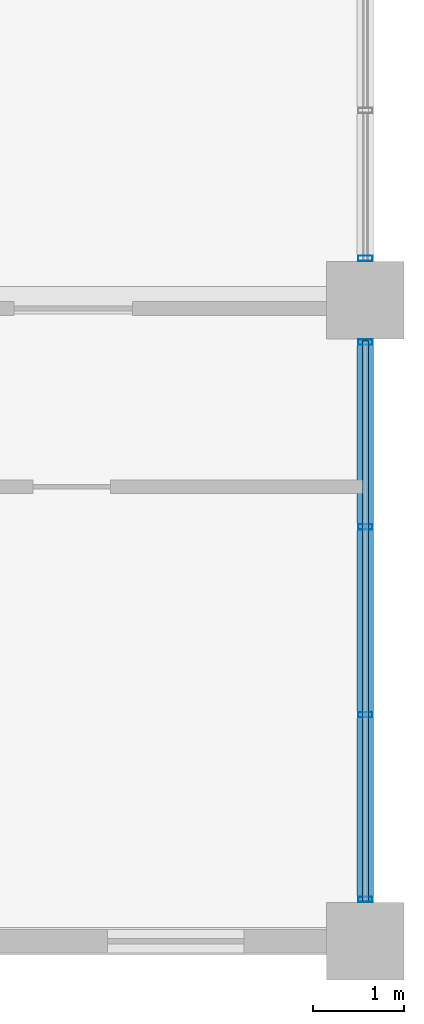
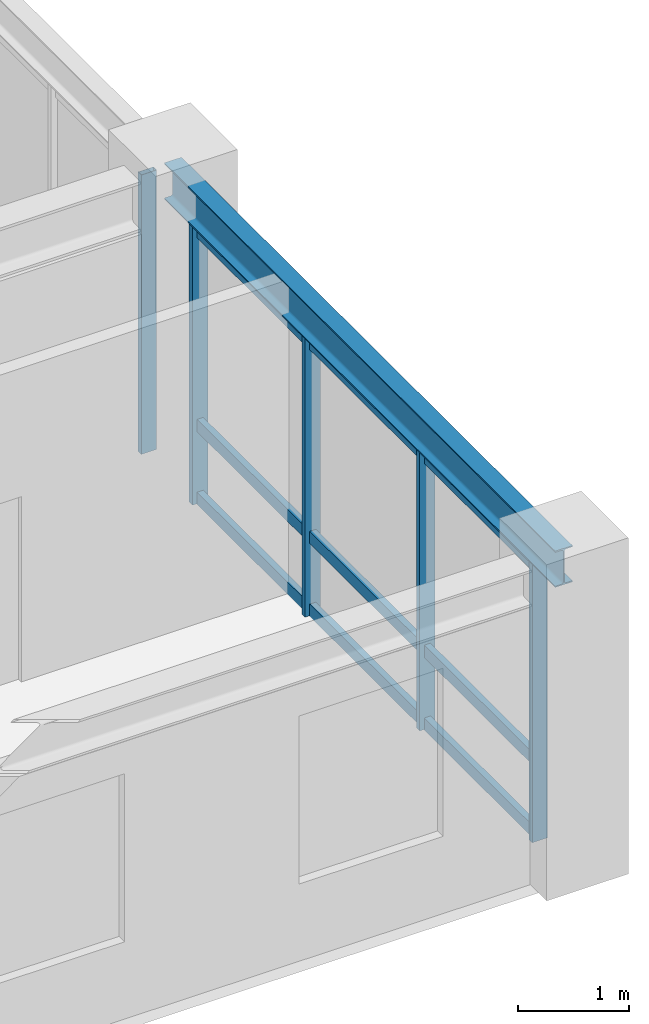
# One storey, part 2 of 10: 8 members, 1 beam, 2 elements without a shape of their own.
"""IFC4 building model written with IfcOpenShell, lengths in metres."""

from ifc_helpers import new_model, si_unit, direction, frame, origin, origin_2d, place, context, subcontext, project, spatial, hollow_rectangle, i_section, extrude, source, transform, mapped, material, layer, layer_set, material_profile, profile_set, type_object, element, aggregate, save


model = new_model("IFC4")

# Units and contexts
model_context = context("Model", 3, precision=1e-05, world=origin(), true_north=direction((0.0, 1.0)))
body_context = subcontext(model_context, "Body", "Model", "MODEL_VIEW")
ifc_project = project(units=[si_unit("LENGTHUNIT", "METRE"), si_unit("AREAUNIT", "SQUARE_METRE"), si_unit("VOLUMEUNIT", "CUBIC_METRE"), si_unit("PLANEANGLEUNIT", "RADIAN"), si_unit("MASSUNIT", "GRAM", prefix="KILO")], contexts=[model_context])

# Site, building, storey
site_placement = place(None, origin())
site = spatial("IfcSite", under=ifc_project, at=site_placement, CompositionType="ELEMENT")
building_placement = place(site_placement, origin())
building = spatial("IfcBuilding", under=site, at=building_placement, Name="Kaliganga Portal Commons", CompositionType="ELEMENT")
storey_placement = place(building_placement, frame((0.0, 0.0, 290.60009765625)))
storey = spatial("IfcBuildingStorey", under=building, at=storey_placement, Name="L75", CompositionType="ELEMENT", Elevation=290.60009765625)

# Beam
ifc_material_1 = material(Name="Structural steel S355J2", Category="steel")
ifc_material_profile_1 = material_profile(ifc_material_1, i_section(OverallWidth=0.179931640625, OverallDepth=0.39990234375, WebThickness=0.008544921875, FlangeThickness=0.013427734375, FilletRadius=0.02099609375, at=origin_2d()), Name="IPE 400")
ifc_profile_set_1 = profile_set([ifc_material_profile_1], Name="Structural steel S355J2 wide-flange")
beam_type = type_object("IfcBeamType", Name="BM-FLR-400", PredefinedType="BEAM", material=ifc_profile_set_1)
shared_shape_1 = source(origin(), body_context, "Body", "SweptSolid", [
    extrude(i_section(OverallWidth=0.179931640625, OverallDepth=0.39990234375, WebThickness=0.008544921875, FlangeThickness=0.013427734375, FilletRadius=0.02099609375, at=origin_2d()), origin(), (0.0, 0.0, 1.0), 7.0498046875),
])
beam_placement = place(storey_placement, frame((46.800048828125, 21.60009765625, 3.27490234375), z_axis=(0.0, 1.0, 0.0), x_axis=(-1.0, 0.0, 0.0)))
element("IfcBeam", 1, at=beam_placement, inside=storey, type_object=beam_type, Name="BM G L75 AS468", PredefinedType="BEAM", context=body_context, shape_type="MappedRepresentation", body=[
    mapped(shared_shape_1, transform((0.0, 0.0, 0.0), x_axis=(1.0, 0.0, 0.0), y_axis=(0.0, 1.0, 0.0), z_axis=(0.0, 0.0, 1.0), scale=1.0)),
])

# Curtain wall, members
ifc_material_2 = material(Name="Anodized Aluminium and Laminated Low-E Glass", Category="aluminium")
ifc_layer = layer(ifc_material_2, 0.18994140625)
ifc_layer_set = layer_set([ifc_layer], Name="Anodized Aluminium and Laminated Low-E Glass")
curtain_wall_type = type_object("IfcCurtainWallType", Name="CW-SYS-05", PredefinedType="NOTDEFINED", material=ifc_layer_set)
curtain_wall_1_placement = place(storey_placement, origin())
curtain_wall_1 = element("IfcCurtainWall", 2, at=curtain_wall_1_placement, inside=storey, type_object=curtain_wall_type, Name="CW 05 L75 P1E01S1", PredefinedType="NOTDEFINED")
ifc_material_3 = material(Name="Dark Bronze Anodized Aluminium", Category="aluminium")
ifc_material_profile_2 = material_profile(ifc_material_3, hollow_rectangle(XDim=0.06005859375, YDim=0.159912109375, WallThickness=0.00341796875, at=origin_2d()), Name="ALU MULL 60x160x3.5")
ifc_profile_set_2 = profile_set([ifc_material_profile_2], Name="Dark Bronze Anodized Aluminium")
member_type_1 = type_object("IfcMemberType", Name="CW-MUL-160", PredefinedType="MULLION", material=ifc_profile_set_2)
shared_shape_2 = source(origin(), body_context, "Body", "SweptSolid", [
    extrude(hollow_rectangle(XDim=0.06005859375, YDim=0.159912109375, WallThickness=0.00341796875, at=origin_2d()), origin(), (0.0, 0.0, 1.0), 3.074951171875),
])
member_1_placement = place(storey_placement, frame((46.800048828125, 22.06103515625, 0.0), z_axis=(0.0, 0.0, 1.0), x_axis=(0.0, 1.0, 0.0)))
member_1 = element("IfcMember", 3, at=member_1_placement, type_object=member_type_1, Name="CW:05:L75:P1E01S1 Mullion 00", PredefinedType="MULLION", context=body_context, shape_type="MappedRepresentation", body=[
    mapped(shared_shape_2, transform((0.0, 0.0, 0.0), x_axis=(1.0, 0.0, 0.0), y_axis=(0.0, 1.0, 0.0), z_axis=(0.0, 0.0, 1.0), scale=1.0)),
])
member_2_placement = place(storey_placement, frame((46.800048828125, 24.092041015625, 0.0), z_axis=(0.0, 0.0, 1.0), x_axis=(0.0, 1.0, 0.0)))
member_2 = element("IfcMember", 4, at=member_2_placement, type_object=member_type_1, Name="CW:05:L75:P1E01S1 Mullion 01", PredefinedType="MULLION", context=body_context, shape_type="MappedRepresentation", body=[
    mapped(shared_shape_2, transform((0.0, 0.0, 0.0), x_axis=(1.0, 0.0, 0.0), y_axis=(0.0, 1.0, 0.0), z_axis=(0.0, 0.0, 1.0), scale=1.0)),
])
member_3_placement = place(storey_placement, frame((46.800048828125, 26.157958984375, 0.0), z_axis=(0.0, 0.0, 1.0), x_axis=(0.0, 1.0, 0.0)))
member_3 = element("IfcMember", 5, at=member_3_placement, type_object=member_type_1, Name="CW:05:L75:P1E01S1 Mullion 02", PredefinedType="MULLION", context=body_context, shape_type="MappedRepresentation", body=[
    mapped(shared_shape_2, transform((0.0, 0.0, 0.0), x_axis=(1.0, 0.0, 0.0), y_axis=(0.0, 1.0, 0.0), z_axis=(0.0, 0.0, 1.0), scale=1.0)),
])
member_4_placement = place(storey_placement, frame((46.800048828125, 28.18896484375, 0.0), z_axis=(0.0, 0.0, 1.0), x_axis=(0.0, 1.0, 0.0)))
member_4 = element("IfcMember", 6, at=member_4_placement, type_object=member_type_1, Name="CW:05:L75:P1E01S1 Mullion 03", PredefinedType="MULLION", context=body_context, shape_type="MappedRepresentation", body=[
    mapped(shared_shape_2, transform((0.0, 0.0, 0.0), x_axis=(1.0, 0.0, 0.0), y_axis=(0.0, 1.0, 0.0), z_axis=(0.0, 0.0, 1.0), scale=1.0)),
])

# Curtain wall, member
curtain_wall_2_placement = place(storey_placement, origin())
curtain_wall_2 = element("IfcCurtainWall", 7, at=curtain_wall_2_placement, inside=storey, type_object=curtain_wall_type, Name="CW 05 L75 P1E01S2", PredefinedType="NOTDEFINED")
member_5_placement = place(storey_placement, frame((46.800048828125, 29.111083984375, 0.0), z_axis=(0.0, 0.0, 1.0), x_axis=(0.0, 1.0, 0.0)))
member_5 = element("IfcMember", 8, at=member_5_placement, type_object=member_type_1, Name="CW:05:L75:P1E01S2 Mullion 00", PredefinedType="MULLION", context=body_context, shape_type="MappedRepresentation", body=[
    mapped(shared_shape_2, transform((0.0, 0.0, 0.0), x_axis=(1.0, 0.0, 0.0), y_axis=(0.0, 1.0, 0.0), z_axis=(0.0, 0.0, 1.0), scale=1.0)),
])
aggregate(curtain_wall_2, [member_5])

# Member
ifc_material_profile_3 = material_profile(ifc_material_3, hollow_rectangle(XDim=0.06494140625, YDim=0.135009765625, WallThickness=0.00341796875, at=origin_2d()), Name="ALU TRAN 65x135x3.5")
ifc_profile_set_3 = profile_set([ifc_material_profile_3], Name="Dark Bronze Anodized Aluminium")
member_type_2 = type_object("IfcMemberType", Name="CW-TRN-135", PredefinedType="USERDEFINED", material=ifc_profile_set_3)
shared_shape_3 = source(origin(), body_context, "Body", "SweptSolid", [
    extrude(hollow_rectangle(XDim=0.06494140625, YDim=0.135009765625, WallThickness=0.00341796875, at=origin_2d()), origin(), (0.0, 0.0, 1.0), 6.158203125),
])
member_6_placement = place(storey_placement, frame((46.800048828125, 22.0458984375, 0.059814453125), z_axis=(0.0, 1.0, 0.0), x_axis=(-1.0, 0.0, 0.0)))
member_6 = element("IfcMember", 9, at=member_6_placement, type_object=member_type_2, Name="CW:05:L75:P1E01S1 Transom 1", ObjectType="TRANSOM", PredefinedType="USERDEFINED", context=body_context, shape_type="MappedRepresentation", body=[
    mapped(shared_shape_3, transform((0.0, 0.0, 0.0), x_axis=(1.0, 0.0, 0.0), y_axis=(0.0, 1.0, 0.0), z_axis=(0.0, 0.0, 1.0), scale=1.0)),
])

member_7_placement = place(storey_placement, frame((46.800048828125, 22.0458984375, 0.86083984375), z_axis=(0.0, 1.0, 0.0), x_axis=(-1.0, 0.0, 0.0)))
member_7 = element("IfcMember", 10, at=member_7_placement, type_object=member_type_2, Name="CW:05:L75:P1E01S1 Transom 2", ObjectType="TRANSOM", PredefinedType="USERDEFINED", context=body_context, shape_type="MappedRepresentation", body=[
    mapped(shared_shape_3, transform((0.0, 0.0, 0.0), x_axis=(1.0, 0.0, 0.0), y_axis=(0.0, 1.0, 0.0), z_axis=(0.0, 0.0, 1.0), scale=1.0)),
])

member_8_placement = place(storey_placement, frame((46.800048828125, 22.0458984375, 2.994873046875), z_axis=(0.0, 1.0, 0.0), x_axis=(-1.0, 0.0, 0.0)))
member_8 = element("IfcMember", 11, at=member_8_placement, type_object=member_type_2, Name="CW:05:L75:P1E01S1 Transom 3", ObjectType="TRANSOM", PredefinedType="USERDEFINED", context=body_context, shape_type="MappedRepresentation", body=[
    mapped(shared_shape_3, transform((0.0, 0.0, 0.0), x_axis=(1.0, 0.0, 0.0), y_axis=(0.0, 1.0, 0.0), z_axis=(0.0, 0.0, 1.0), scale=1.0)),
])

aggregate(curtain_wall_1, [member_1, member_2, member_3, member_4, member_6, member_7, member_8])

save(model, "model.ifc")
